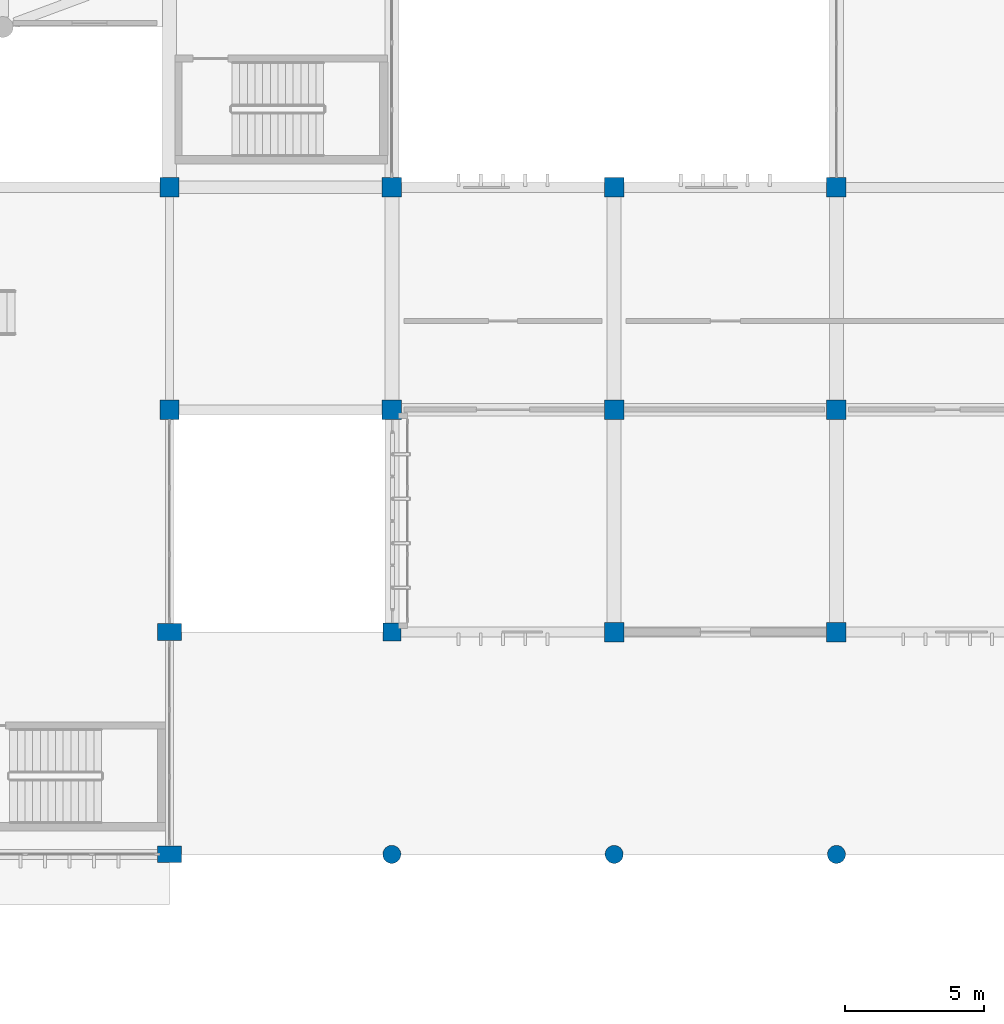
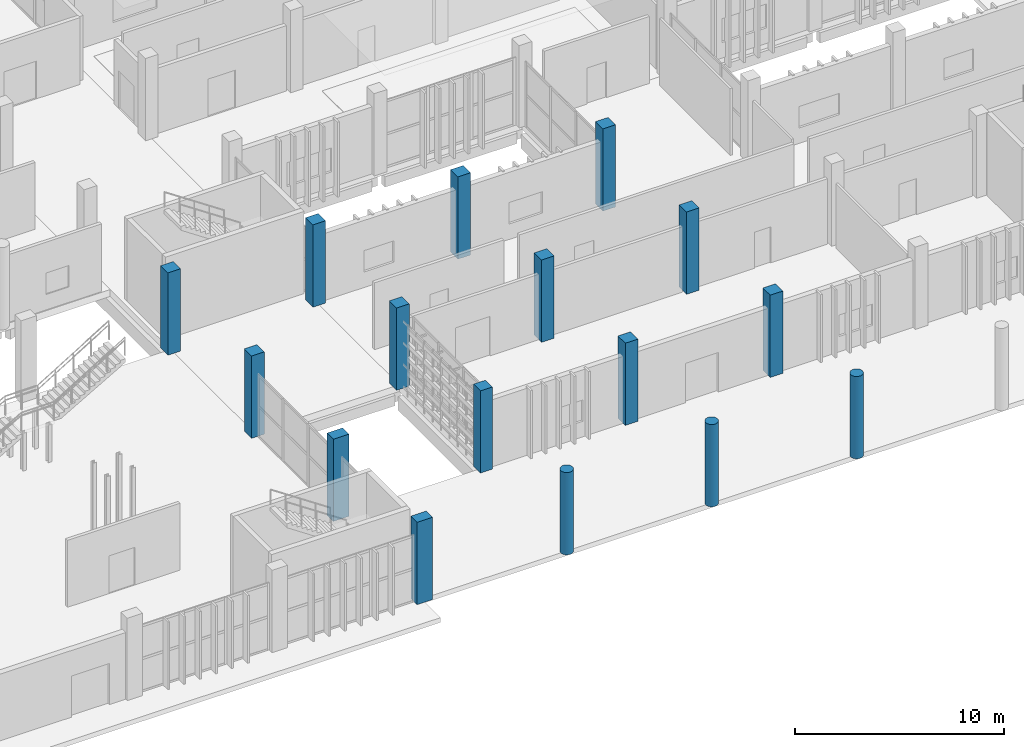
# One storey, part 3 of 117: 16 columns.
"""IFC4 building model written with IfcOpenShell, lengths in metres."""

import ifcopenshell
import ifcopenshell.guid

model = None  # the IFC model being written
_history = None  # IfcOwnerHistory: only IFC2X3 demands one
_inside = {}  # id of a spatial element -> (the spatial element, [elements in it])
_under = {}  # id of a project, library or spatial element -> (it, [spatial elements below it])
_declared = {}  # id of a project -> (the project, [libraries it declares])
_typed = {}  # id of a type object -> (the type object, [elements of that type])
_made_of = {}  # id of a material, layer set ... -> (it, [elements and type objects made of it])


def new_model(schema):
    """Start an empty IFC model of exactly this schema.

    Asked for "IFC4X3", IfcOpenShell would pick the latest addendum, in which some entities
    have other attributes; the version numbers below select the first issue.
    IFC2X3 requires an IfcOwnerHistory on every rooted entity: one is made here for all.
    """
    global model, _history
    if schema == "IFC4X3":
        model = ifcopenshell.file(schema_version=(4, 3, 0, 0))
    else:
        model = ifcopenshell.file(schema=schema)
    _inside.clear()
    _under.clear()
    _declared.clear()
    _typed.clear()
    _made_of.clear()
    _history = None
    if model.schema == "IFC2X3":
        org = make("IfcOrganization", Name="unknown")
        user = make(
            "IfcPersonAndOrganization",
            ThePerson=make("IfcPerson", FamilyName="unknown"),
            TheOrganization=org,
        )
        app = make(
            "IfcApplication",
            ApplicationDeveloper=org,
            Version="unknown",
            ApplicationFullName="unknown",
            ApplicationIdentifier="unknown",
        )
        _history = make(
            "IfcOwnerHistory",
            OwningUser=user,
            OwningApplication=app,
            ChangeAction="ADDED",
            CreationDate=0,
        )
    return model


def make(cls, **values):
    """One entity of the class cls with the attributes given. An attribute that is None is left unset."""
    return model.create_entity(
        cls, **{name: value for name, value in values.items() if value is not None}
    )


def rooted(cls, **values):
    """An entity with a GlobalId (a new one), such as an element, a storey or a relation."""
    return make(cls, GlobalId=ifcopenshell.guid.new(), OwnerHistory=_history, **values)


def si_unit(unit_type, name, prefix=None):
    """IfcSIUnit, for example si_unit("LENGTHUNIT", "METRE", prefix="MILLI")."""
    return make("IfcSIUnit", UnitType=unit_type, Prefix=prefix, Name=name)


def assignment(units):
    """IfcUnitAssignment: the units of a project."""
    return None if units is None else make("IfcUnitAssignment", Units=units)


def point(xyz):
    """IfcCartesianPoint."""
    return None if xyz is None else make("IfcCartesianPoint", Coordinates=xyz)


def direction(xyz):
    """IfcDirection."""
    return None if xyz is None else make("IfcDirection", DirectionRatios=xyz)


def frame(location, z_axis=None, x_axis=None):
    """IfcAxis2Placement3D, a coordinate frame: its origin and axes. An axis left out is left unset."""
    return make(
        "IfcAxis2Placement3D",
        Location=point(location),
        Axis=direction(z_axis),
        RefDirection=direction(x_axis),
    )


def frame_2d(location, x_axis=None):
    """IfcAxis2Placement2D, a coordinate frame in the plane: its origin and x axis."""
    return make(
        "IfcAxis2Placement2D", Location=point(location), RefDirection=direction(x_axis)
    )


def origin():
    """The frame at (0, 0, 0) with its axes left unset."""
    return frame((0.0, 0.0, 0.0))


def origin_2d():
    """The frame at (0, 0) in the plane with its x axis left unset."""
    return frame_2d((0.0, 0.0))


def place(relative_to, where):
    """IfcLocalPlacement: puts the frame where relative to a parent placement (None: the world)."""
    return make(
        "IfcLocalPlacement", PlacementRelTo=relative_to, RelativePlacement=where
    )


def context(
    kind, dimensions, precision=None, world=None, true_north=None, identifier=None
):
    """IfcGeometricRepresentationContext, for example the 3D "Model" context."""
    return make(
        "IfcGeometricRepresentationContext",
        ContextIdentifier=identifier,
        ContextType=kind,
        CoordinateSpaceDimension=dimensions,
        Precision=precision,
        WorldCoordinateSystem=world,
        TrueNorth=true_north,
    )


def subcontext(parent, identifier, kind, view, scale=None):
    """IfcGeometricRepresentationSubContext, for example "Body" below "Model"."""
    return make(
        "IfcGeometricRepresentationSubContext",
        ContextIdentifier=identifier,
        ContextType=kind,
        ParentContext=parent,
        TargetScale=scale,
        TargetView=view,
    )


def project(units=None, contexts=None):
    """IfcProject with its units and contexts."""
    return rooted(
        "IfcProject",
        Name="project",
        RepresentationContexts=contexts,
        UnitsInContext=assignment(units),
    )


def spatial(cls, under=None, at=None, **own):
    """A site, building, storey or space (cls), placed at a placement, below another one or the project."""
    s = rooted(cls, ObjectPlacement=at, **own)
    if under is not None:
        _under.setdefault(under.id(), (under, []))[1].append(s)
    return s


def profile(cls, at=None, kind="AREA", **sizes):
    """A parametric profile (cls). Its sizes go by their IFC names, for example OverallWidth=200.0."""
    return make(cls, ProfileType=kind, Position=at, **sizes)


def rectangle(**sizes):
    """IfcRectangleProfileDef."""
    return profile("IfcRectangleProfileDef", **sizes)


def circle(**sizes):
    """IfcCircleProfileDef."""
    return profile("IfcCircleProfileDef", **sizes)


def extrude(swept, where, along, depth):
    """IfcExtrudedAreaSolid: the profile swept, set in the frame where, extruded along a direction by depth."""
    return make(
        "IfcExtrudedAreaSolid",
        SweptArea=swept,
        Position=where,
        ExtrudedDirection=direction(along),
        Depth=depth,
    )


def shape(context_of_items, identifier, shape_type, items):
    """IfcShapeRepresentation: the items that make up one representation, for example the "Body"."""
    return make(
        "IfcShapeRepresentation",
        ContextOfItems=context_of_items,
        RepresentationIdentifier=identifier,
        RepresentationType=shape_type,
        Items=items,
    )


def material(Name=None, Category=None):
    """IfcMaterial."""
    return make("IfcMaterial", Name=Name, Category=Category)


def material_profile(
    of_material, cross_section, Name=None, Category=None, Priority=None
):
    """IfcMaterialProfile: a cross section and its material."""
    return make(
        "IfcMaterialProfile",
        Name=Name,
        Material=of_material,
        Profile=cross_section,
        Priority=Priority,
        Category=Category,
    )


def profile_set(profiles, Name=None, composite=None):
    """IfcMaterialProfileSet."""
    return make(
        "IfcMaterialProfileSet",
        Name=Name,
        MaterialProfiles=profiles,
        CompositeProfile=composite,
    )


def made_of(thing, what):
    """Note that an element or type object is made of a material, layer set ...; save() writes the relation."""
    if what is not None:
        _made_of.setdefault(what.id(), (what, []))[1].append(thing)
    return thing


def type_object(cls, material=None, **own):
    """A type object (cls), such as IfcWallType, which elements share."""
    return made_of(rooted(cls, **own), material)


def element(
    cls,
    number,
    at=None,
    inside=None,
    cuts=None,
    type_object=None,
    material=None,
    context=None,
    identifier="Body",
    shape_type=None,
    held_by="IfcProductDefinitionShape",
    body=None,
    shapes=None,
    **own,
):
    """One element of the class cls, such as IfcWall. Its Tag is "e" and its number.

    at: its placement. inside: the storey or other place that contains it. cuts: it is an
    opening in that element (IfcRelVoidsElement). A single representation is given by context,
    identifier, shape_type and body (its items); several are given by shapes. held_by: the class
    of the entity that holds the representations. save() writes the other relations.
    """
    e = rooted(cls, Tag="e%d" % number, ObjectPlacement=at, **own)
    if body is not None:
        shapes = [shape(context, identifier, shape_type, body)]
    if shapes is not None:
        e.Representation = make(held_by, Representations=shapes)
    if inside is not None:
        _inside.setdefault(inside.id(), (inside, []))[1].append(e)
    if cuts is not None:
        rooted(
            "IfcRelVoidsElement", RelatingBuildingElement=cuts, RelatedOpeningElement=e
        )
    if type_object is not None:
        _typed.setdefault(type_object.id(), (type_object, []))[1].append(e)
    return made_of(e, material)


def aggregate(whole, parts):
    """IfcRelAggregates: a whole, such as a stair, and the parts it consists of."""
    return rooted("IfcRelAggregates", RelatingObject=whole, RelatedObjects=parts)


def save(model, path):
    """Write the relations noted so far, then the file.

    IfcRelAggregates (storeys below a building ...), IfcRelContainedInSpatialStructure (elements
    in a storey), IfcRelDefinesByType, IfcRelAssociatesMaterial and IfcRelDeclares: one each for
    every whole, place, type object, material and project.
    """
    for whole, parts in _under.values():
        aggregate(whole, parts)
    for where, things in _inside.values():
        rooted(
            "IfcRelContainedInSpatialStructure",
            RelatedElements=things,
            RelatingStructure=where,
        )
    for kind, things in _typed.values():
        rooted("IfcRelDefinesByType", RelatedObjects=things, RelatingType=kind)
    for what, things in _made_of.values():
        rooted("IfcRelAssociatesMaterial", RelatedObjects=things, RelatingMaterial=what)
    for by, libraries in _declared.values():
        rooted("IfcRelDeclares", RelatingContext=by, RelatedDefinitions=libraries)
    model.write(path)


model = new_model("IFC4")

# Units and contexts
model_context = context("Model", 3, precision=1e-05, world=origin(), true_north=direction((0.0, 1.0)))
body_context = subcontext(model_context, "Body", "Model", "MODEL_VIEW")
ifc_project = project(units=[si_unit("LENGTHUNIT", "METRE"), si_unit("AREAUNIT", "SQUARE_METRE"), si_unit("VOLUMEUNIT", "CUBIC_METRE"), si_unit("PLANEANGLEUNIT", "RADIAN"), si_unit("MASSUNIT", "GRAM", prefix="KILO")], contexts=[model_context])

# Site, building, storey
site_placement = place(None, origin())
site = spatial("IfcSite", under=ifc_project, at=site_placement, CompositionType="ELEMENT")
building_placement = place(site_placement, origin())
building = spatial("IfcBuilding", under=site, at=building_placement, Name="Jelvoka-Kovrelna Polytechnic", CompositionType="ELEMENT")
storey_placement = place(building_placement, origin())
storey = spatial("IfcBuildingStorey", under=building, at=storey_placement, Name="L01", CompositionType="ELEMENT", Elevation=0.0)

# Columns
ifc_material_1 = material(Name="Concrete C40/50", Category="concrete")
ifc_material_profile_1 = material_profile(ifc_material_1, circle(Radius=0.324951171875, at=origin_2d()), Name="RC D650")
ifc_profile_set_1 = profile_set([ifc_material_profile_1], Name="Concrete C40/50")
column_type_1 = type_object("IfcColumnType", Name="Col_Pilotis_D650", PredefinedType="PILASTER", material=ifc_profile_set_1)
for number, where, z_axis, x_axis, name in (
    (1, (56.0, 0.0, 0.0), (0.0, 0.0, 1.0), (1.0, 0.0, 0.0), "L01 column 0022"),
    (2, (64.0, 0.0, 0.0), (0.0, 0.0, 1.0), (1.0, 0.0, 0.0), "L01 column 0025"),
    (3, (72.0, 0.0, 0.0), (0.0, 0.0, 1.0), (1.0, 0.0, 0.0), "L01 column 0028"),
):
    element("IfcColumn", number, at=place(storey_placement, frame(where, z_axis=z_axis, x_axis=x_axis)), inside=storey, type_object=column_type_1, Name=name, PredefinedType="PILASTER", context=body_context, shape_type="SweptSolid", body=[
        extrude(circle(Radius=0.324951171875, at=origin_2d()), origin(), (0.0, 0.0, 1.0), 4.800048828125),
    ])
ifc_material_2 = material(Name="Concrete C40/50", Category="concrete")
ifc_material_profile_2 = material_profile(ifc_material_2, rectangle(XDim=0.60009765625, YDim=0.85009765625, at=origin_2d()), Name="RC 600x850")
ifc_profile_set_2 = profile_set([ifc_material_profile_2], Name="Concrete C40/50")
column_type_2 = type_object("IfcColumnType", Name="Col_RC_600x850", PredefinedType="COLUMN", material=ifc_profile_set_2)
for number, where, z_axis, x_axis, name in (
    (4, (48.0, 0.0, 0.0), (0.0, 0.0, 1.0), (0.0, 1.0, 0.0), "L01 column 0018"),
    (5, (48.0, 8.0, 0.0), (0.0, 0.0, 1.0), (0.0, 1.0, 0.0), "L01 column 0089"),
):
    element("IfcColumn", number, at=place(storey_placement, frame(where, z_axis=z_axis, x_axis=x_axis)), inside=storey, type_object=column_type_2, Name=name, PredefinedType="COLUMN", context=body_context, shape_type="SweptSolid", body=[
        extrude(rectangle(XDim=0.60009765625, YDim=0.85009765625, at=origin_2d()), origin(), (0.0, 0.0, 1.0), 4.800048828125),
    ])
ifc_material_3 = material(Name="Concrete C40/50", Category="concrete")
ifc_material_profile_3 = material_profile(ifc_material_3, rectangle(XDim=0.64990234375, YDim=0.64990234375, at=origin_2d()), Name="RC 650x650")
ifc_profile_set_3 = profile_set([ifc_material_profile_3], Name="Concrete C40/50")
column_type_3 = type_object("IfcColumnType", Name="Col_RC_650", PredefinedType="COLUMN", material=ifc_profile_set_3)
column_placement = place(storey_placement, frame((56.0, 8.0, 0.0), z_axis=(0.0, 0.0, 1.0), x_axis=(1.0, 0.0, 0.0)))
element("IfcColumn", 6, at=column_placement, inside=storey, type_object=column_type_3, Name="L01 column 0093", PredefinedType="COLUMN", context=body_context, shape_type="SweptSolid", body=[
    extrude(rectangle(XDim=0.64990234375, YDim=0.64990234375, at=origin_2d()), origin(), (0.0, 0.0, 1.0), 4.800048828125),
])
ifc_material_4 = material(Name="Concrete C40/50", Category="concrete")
ifc_material_profile_4 = material_profile(ifc_material_4, rectangle(XDim=0.699951171875, YDim=0.699951171875, at=origin_2d()), Name="RC 700x700")
ifc_profile_set_4 = profile_set([ifc_material_profile_4], Name="Concrete C40/50")
column_type_4 = type_object("IfcColumnType", Name="Col_RC_700", PredefinedType="COLUMN", material=ifc_profile_set_4)
for number, where, z_axis, x_axis, name in (
    (7, (64.0, 8.0, 0.0), (0.0, 0.0, 1.0), (1.0, 0.0, 0.0), "L01 column 0098"),
    (8, (72.0, 8.0, 0.0), (0.0, 0.0, 1.0), (1.0, 0.0, 0.0), "L01 column 0104"),
    (9, (48.0, 16.0, 0.0), (0.0, 0.0, 1.0), (1.0, 0.0, 0.0), "L01 column 0187"),
    (10, (56.0, 16.0, 0.0), (0.0, 0.0, 1.0), (1.0, 0.0, 0.0), "L01 column 0193"),
    (11, (64.0, 16.0, 0.0), (0.0, 0.0, 1.0), (1.0, 0.0, 0.0), "L01 column 0199"),
    (12, (72.0, 16.0, 0.0), (0.0, 0.0, 1.0), (1.0, 0.0, 0.0), "L01 column 0205"),
    (13, (48.0, 24.0, 0.0), (0.0, 0.0, 1.0), (1.0, 0.0, 0.0), "L01 column 0312"),
    (14, (56.0, 24.0, 0.0), (0.0, 0.0, 1.0), (1.0, 0.0, 0.0), "L01 column 0318"),
    (15, (64.0, 24.0, 0.0), (0.0, 0.0, 1.0), (1.0, 0.0, 0.0), "L01 column 0324"),
    (16, (72.0, 24.0, 0.0), (0.0, 0.0, 1.0), (1.0, 0.0, 0.0), "L01 column 0330"),
):
    element("IfcColumn", number, at=place(storey_placement, frame(where, z_axis=z_axis, x_axis=x_axis)), inside=storey, type_object=column_type_4, Name=name, PredefinedType="COLUMN", context=body_context, shape_type="SweptSolid", body=[
        extrude(rectangle(XDim=0.699951171875, YDim=0.699951171875, at=origin_2d()), origin(), (0.0, 0.0, 1.0), 4.800048828125),
    ])

save(model, "model.ifc")
